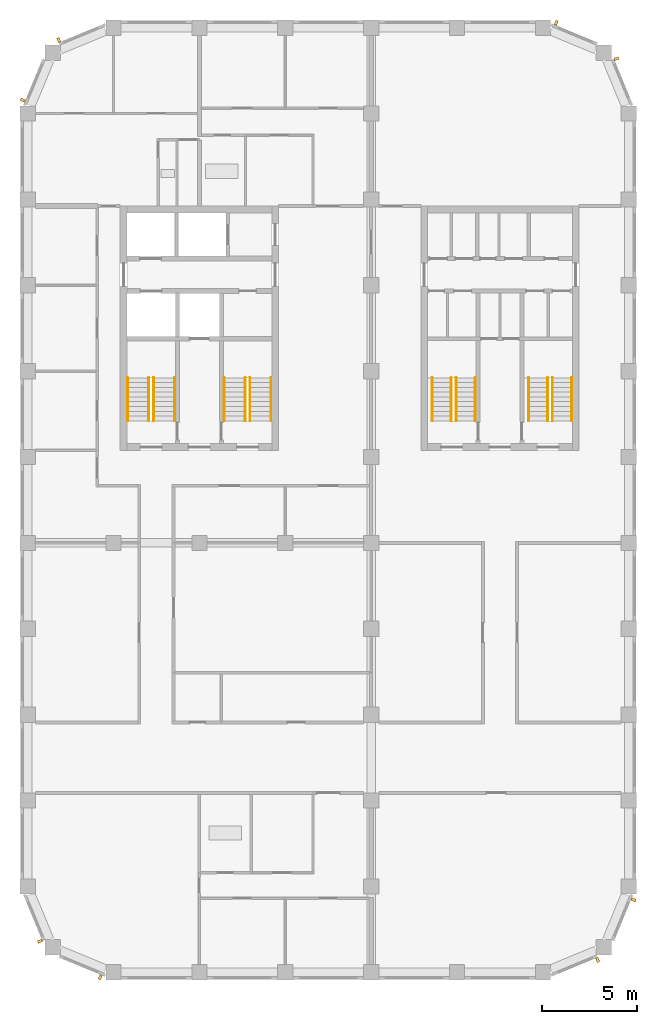
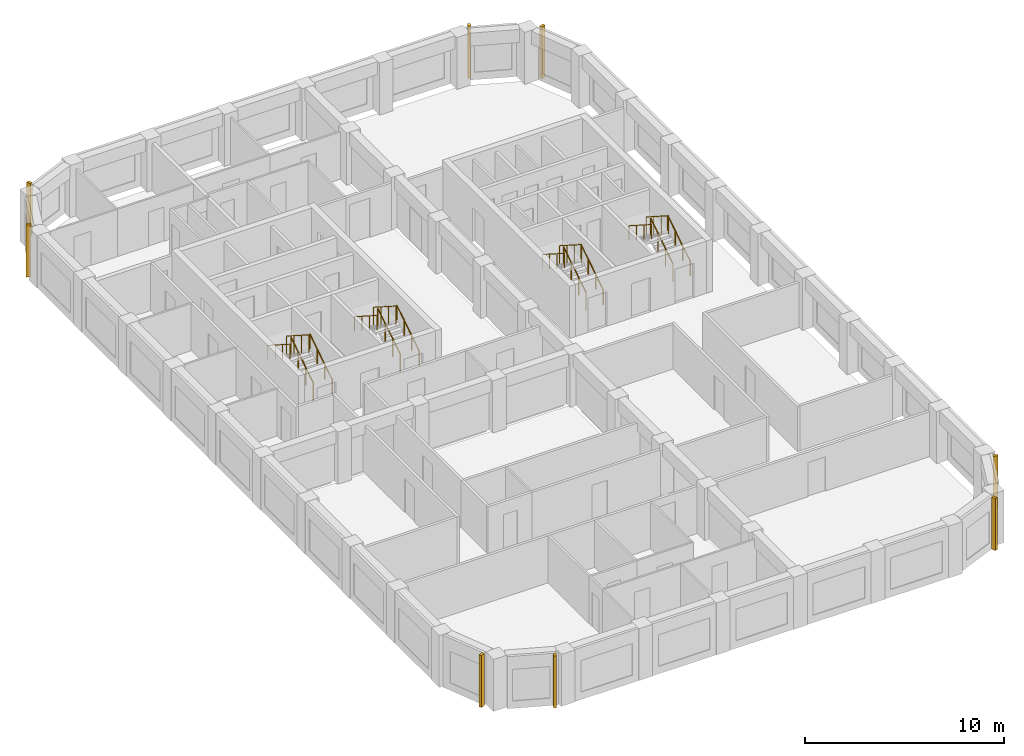
# One storey, part 8 of 9: 16 railings, 8 shading devices.
"""IFC4 building model written with IfcOpenShell, lengths in metres."""

from ifc_helpers import new_model, si_unit, direction, frame, origin, origin_2d, place, context, subcontext, project, spatial, rectangle, circle, extrude, material, type_object, element, save


model = new_model("IFC4")

# Units and contexts
model_context = context("Model", 3, precision=1e-05, world=origin(), true_north=direction((0.0, 1.0)))
body_context = subcontext(model_context, "Body", "Model", "MODEL_VIEW")
ifc_project = project(units=[si_unit("LENGTHUNIT", "METRE"), si_unit("AREAUNIT", "SQUARE_METRE"), si_unit("VOLUMEUNIT", "CUBIC_METRE"), si_unit("PLANEANGLEUNIT", "RADIAN"), si_unit("MASSUNIT", "GRAM", prefix="KILO")], contexts=[model_context])

# Site, building, storey
site_placement = place(None, origin())
site = spatial("IfcSite", under=ifc_project, at=site_placement, CompositionType="ELEMENT")
building_placement = place(site_placement, origin())
building = spatial("IfcBuilding", under=site, at=building_placement, Name="Girih Gate Residences", CompositionType="ELEMENT")
storey_placement = place(building_placement, frame((0.0, 0.0, 222.89501953125)))
storey = spatial("IfcBuildingStorey", under=building, at=storey_placement, Name="L62", CompositionType="ELEMENT", Elevation=222.89501953125)

# Shading devices
ifc_material_1 = material(Name="Precast concrete C50/60", Category="concrete")
shading_device_type = type_object("IfcShadingDeviceType", Name="Corner rib 150x250", PredefinedType="USERDEFINED", material=ifc_material_1)
for number, where, z_axis, x_axis, name in (
    (1, (29.867919921875, 0.646728515625, 0.0), (0.0, 0.0, 1.0), (0.923879532511, 0.382683432365, 0.0), "Corner rib SE0270_0000.0"),
    (2, (31.752685546875, 3.80322265625, 0.0), (0.0, 0.0, 1.0), (0.382683432365, 0.923879532511, 0.0), "Corner rib SE0302_0013.0"),
    (3, (30.853271484375, 47.867919921875, 0.0), (0.0, 0.0, 1.0), (-0.382683432365, 0.923879532511, 0.0), "Corner rib NE0315_0450.0"),
    (4, (27.69677734375, 49.752685546875, 0.0), (0.0, 0.0, 1.0), (-0.923879532511, 0.382683432365, 0.0), "Corner rib NE0302_0482.0"),
    (5, (1.632080078125, 48.853271484375, 0.0), (0.0, 0.0, 1.0), (-0.923879532511, -0.382683432365, 0.0), "Corner rib NW0045_0495.0"),
    (6, (-0.252685546875, 45.69677734375, 0.0), (0.0, 0.0, 1.0), (-0.382683432365, -0.923879532511, 0.0), "Corner rib NW0013_0482.0"),
    (7, (0.646728515625, 1.632080078125, 0.0), (0.0, 0.0, 1.0), (0.382683432365, -0.923879532511, 0.0), "Corner rib SW0000_0045.0"),
    (8, (3.80322265625, -0.252685546875, 0.0), (0.0, 0.0, 1.0), (0.923879532511, -0.382683432365, 0.0), "Corner rib SW0013_0013.0"),
):
    element("IfcShadingDevice", number, at=place(storey_placement, frame(where, z_axis=z_axis, x_axis=x_axis)), inside=storey, type_object=shading_device_type, Name=name, ObjectType="FIN", PredefinedType="USERDEFINED", context=body_context, shape_type="SweptSolid", body=[
        extrude(rectangle(XDim=0.14990234375, YDim=0.25, at=origin_2d()), origin(), (0.0, 0.0, 1.0), 3.199951171875),
    ])

# Railings
ifc_material_2 = material(Name="Stainless steel", Category="steel")
railing_type_1 = type_object("IfcRailingType", Name="Stair guard 1100", PredefinedType="GUARDRAIL", material=ifc_material_2)
railing_1_placement = place(storey_placement, frame((6.60009765625, 28.89990234375, 0.159912109375)))
element("IfcRailing", 9, at=railing_1_placement, inside=storey, type_object=railing_type_1, Name="L62 ST-W1 stair guard 1", PredefinedType="GUARDRAIL", context=body_context, shape_type="SweptSolid", body=[
    extrude(circle(Radius=0.02392578125, at=origin_2d()), frame((0.0, 0.0, 1.076171875), z_axis=(0.0, 0.842239864353, 0.539102968731), x_axis=(-1.0, 0.0, 0.0)), (0.0, 0.0, 1.0), 2.67138671875),
    extrude(circle(Radius=0.02099609375, at=origin_2d()), origin(), (0.0, 0.0, 1.0), 1.052001953125),
    extrude(circle(Radius=0.02099609375, at=origin_2d()), frame((0.0, 0.75, 0.47998046875)), (0.0, 0.0, 1.0), 1.052001953125),
    extrude(circle(Radius=0.02099609375, at=origin_2d()), frame((0.0, 1.5, 0.960205078125)), (0.0, 0.0, 1.0), 1.052001953125),
    extrude(circle(Radius=0.02099609375, at=origin_2d()), frame((0.0, 2.25, 1.440185546875)), (0.0, 0.0, 1.0), 1.052001953125),
])
railing_2_placement = place(storey_placement, frame((6.35009765625, 31.14990234375, 1.760009765625)))
element("IfcRailing", 10, at=railing_2_placement, inside=storey, type_object=railing_type_1, Name="L62 ST-W1 stair guard 2", PredefinedType="GUARDRAIL", context=body_context, shape_type="SweptSolid", body=[
    extrude(circle(Radius=0.02392578125, at=origin_2d()), frame((0.0, 0.0, 1.076171875), z_axis=(0.0, -0.842281359387, 0.539038135598), x_axis=(1.0, 0.0, 0.0)), (0.0, 0.0, 1.0), 2.67138671875),
    extrude(circle(Radius=0.02099609375, at=origin_2d()), origin(), (0.0, 0.0, 1.0), 1.052001953125),
    extrude(circle(Radius=0.02099609375, at=origin_2d()), frame((0.0, -0.75, 0.47998046875)), (0.0, 0.0, 1.0), 1.052001953125),
    extrude(circle(Radius=0.02099609375, at=origin_2d()), frame((0.0, -1.5, 0.9599609375)), (0.0, 0.0, 1.0), 1.052001953125),
    extrude(circle(Radius=0.02099609375, at=origin_2d()), frame((0.0, -2.25, 1.43994140625)), (0.0, 0.0, 1.0), 1.052001953125),
])
railing_3_placement = place(storey_placement, frame((11.64990234375, 28.89990234375, 0.159912109375)))
element("IfcRailing", 11, at=railing_3_placement, inside=storey, type_object=railing_type_1, Name="L62 ST-W2 stair guard 1", PredefinedType="GUARDRAIL", context=body_context, shape_type="SweptSolid", body=[
    extrude(circle(Radius=0.02392578125, at=origin_2d()), frame((0.0, 0.0, 1.076171875), z_axis=(0.0, 0.842239864353, 0.539102968731), x_axis=(-1.0, 0.0, 0.0)), (0.0, 0.0, 1.0), 2.67138671875),
    extrude(circle(Radius=0.02099609375, at=origin_2d()), origin(), (0.0, 0.0, 1.0), 1.052001953125),
    extrude(circle(Radius=0.02099609375, at=origin_2d()), frame((0.0, 0.75, 0.47998046875)), (0.0, 0.0, 1.0), 1.052001953125),
    extrude(circle(Radius=0.02099609375, at=origin_2d()), frame((0.0, 1.5, 0.960205078125)), (0.0, 0.0, 1.0), 1.052001953125),
    extrude(circle(Radius=0.02099609375, at=origin_2d()), frame((0.0, 2.25, 1.440185546875)), (0.0, 0.0, 1.0), 1.052001953125),
])
railing_4_placement = place(storey_placement, frame((11.39990234375, 31.14990234375, 1.760009765625)))
element("IfcRailing", 12, at=railing_4_placement, inside=storey, type_object=railing_type_1, Name="L62 ST-W2 stair guard 2", PredefinedType="GUARDRAIL", context=body_context, shape_type="SweptSolid", body=[
    extrude(circle(Radius=0.02392578125, at=origin_2d()), frame((0.0, 0.0, 1.076171875), z_axis=(0.0, -0.842281359387, 0.539038135598), x_axis=(1.0, 0.0, 0.0)), (0.0, 0.0, 1.0), 2.67138671875),
    extrude(circle(Radius=0.02099609375, at=origin_2d()), origin(), (0.0, 0.0, 1.0), 1.052001953125),
    extrude(circle(Radius=0.02099609375, at=origin_2d()), frame((0.0, -0.75, 0.47998046875)), (0.0, 0.0, 1.0), 1.052001953125),
    extrude(circle(Radius=0.02099609375, at=origin_2d()), frame((0.0, -1.5, 0.9599609375)), (0.0, 0.0, 1.0), 1.052001953125),
    extrude(circle(Radius=0.02099609375, at=origin_2d()), frame((0.0, -2.25, 1.43994140625)), (0.0, 0.0, 1.0), 1.052001953125),
])
railing_5_placement = place(storey_placement, frame((22.449951171875, 28.89990234375, 0.159912109375)))
element("IfcRailing", 13, at=railing_5_placement, inside=storey, type_object=railing_type_1, Name="L62 ST-C1 stair guard 1", PredefinedType="GUARDRAIL", context=body_context, shape_type="SweptSolid", body=[
    extrude(circle(Radius=0.02392578125, at=origin_2d()), frame((0.0, 0.0, 1.076171875), z_axis=(0.0, 0.842239864353, 0.539102968731), x_axis=(-1.0, 0.0, 0.0)), (0.0, 0.0, 1.0), 2.67138671875),
    extrude(circle(Radius=0.02099609375, at=origin_2d()), origin(), (0.0, 0.0, 1.0), 1.052001953125),
    extrude(circle(Radius=0.02099609375, at=origin_2d()), frame((0.0, 0.75, 0.47998046875)), (0.0, 0.0, 1.0), 1.052001953125),
    extrude(circle(Radius=0.02099609375, at=origin_2d()), frame((0.0, 1.5, 0.960205078125)), (0.0, 0.0, 1.0), 1.052001953125),
    extrude(circle(Radius=0.02099609375, at=origin_2d()), frame((0.0, 2.25, 1.440185546875)), (0.0, 0.0, 1.0), 1.052001953125),
])
railing_6_placement = place(storey_placement, frame((22.199951171875, 31.14990234375, 1.760009765625)))
element("IfcRailing", 14, at=railing_6_placement, inside=storey, type_object=railing_type_1, Name="L62 ST-C1 stair guard 2", PredefinedType="GUARDRAIL", context=body_context, shape_type="SweptSolid", body=[
    extrude(circle(Radius=0.02392578125, at=origin_2d()), frame((0.0, 0.0, 1.076171875), z_axis=(0.0, -0.842281359387, 0.539038135598), x_axis=(1.0, 0.0, 0.0)), (0.0, 0.0, 1.0), 2.67138671875),
    extrude(circle(Radius=0.02099609375, at=origin_2d()), origin(), (0.0, 0.0, 1.0), 1.052001953125),
    extrude(circle(Radius=0.02099609375, at=origin_2d()), frame((0.0, -0.75, 0.47998046875)), (0.0, 0.0, 1.0), 1.052001953125),
    extrude(circle(Radius=0.02099609375, at=origin_2d()), frame((0.0, -1.5, 0.9599609375)), (0.0, 0.0, 1.0), 1.052001953125),
    extrude(circle(Radius=0.02099609375, at=origin_2d()), frame((0.0, -2.25, 1.43994140625)), (0.0, 0.0, 1.0), 1.052001953125),
])
railing_7_placement = place(storey_placement, frame((27.5, 28.89990234375, 0.159912109375)))
element("IfcRailing", 15, at=railing_7_placement, inside=storey, type_object=railing_type_1, Name="L62 ST-C2 stair guard 1", PredefinedType="GUARDRAIL", context=body_context, shape_type="SweptSolid", body=[
    extrude(circle(Radius=0.02392578125, at=origin_2d()), frame((0.0, 0.0, 1.076171875), z_axis=(0.0, 0.842239864353, 0.539102968731), x_axis=(-1.0, 0.0, 0.0)), (0.0, 0.0, 1.0), 2.67138671875),
    extrude(circle(Radius=0.02099609375, at=origin_2d()), origin(), (0.0, 0.0, 1.0), 1.052001953125),
    extrude(circle(Radius=0.02099609375, at=origin_2d()), frame((0.0, 0.75, 0.47998046875)), (0.0, 0.0, 1.0), 1.052001953125),
    extrude(circle(Radius=0.02099609375, at=origin_2d()), frame((0.0, 1.5, 0.960205078125)), (0.0, 0.0, 1.0), 1.052001953125),
    extrude(circle(Radius=0.02099609375, at=origin_2d()), frame((0.0, 2.25, 1.440185546875)), (0.0, 0.0, 1.0), 1.052001953125),
])
railing_8_placement = place(storey_placement, frame((27.25, 31.14990234375, 1.760009765625)))
element("IfcRailing", 16, at=railing_8_placement, inside=storey, type_object=railing_type_1, Name="L62 ST-C2 stair guard 2", PredefinedType="GUARDRAIL", context=body_context, shape_type="SweptSolid", body=[
    extrude(circle(Radius=0.02392578125, at=origin_2d()), frame((0.0, 0.0, 1.076171875), z_axis=(0.0, -0.842281359387, 0.539038135598), x_axis=(1.0, 0.0, 0.0)), (0.0, 0.0, 1.0), 2.67138671875),
    extrude(circle(Radius=0.02099609375, at=origin_2d()), origin(), (0.0, 0.0, 1.0), 1.052001953125),
    extrude(circle(Radius=0.02099609375, at=origin_2d()), frame((0.0, -0.75, 0.47998046875)), (0.0, 0.0, 1.0), 1.052001953125),
    extrude(circle(Radius=0.02099609375, at=origin_2d()), frame((0.0, -1.5, 0.9599609375)), (0.0, 0.0, 1.0), 1.052001953125),
    extrude(circle(Radius=0.02099609375, at=origin_2d()), frame((0.0, -2.25, 1.43994140625)), (0.0, 0.0, 1.0), 1.052001953125),
])
railing_type_2 = type_object("IfcRailingType", Name="Stair handrail 900", PredefinedType="HANDRAIL", material=ifc_material_2)
railing_9_placement = place(storey_placement, frame((7.699951171875, 28.89990234375, 0.159912109375)))
element("IfcRailing", 17, at=railing_9_placement, inside=storey, type_object=railing_type_2, Name="L62 ST-W1 stair handrail 1", PredefinedType="HANDRAIL", context=body_context, shape_type="SweptSolid", body=[
    extrude(circle(Radius=0.02392578125, at=origin_2d()), frame((0.0, 0.0, 0.8857421875), z_axis=(0.0, 0.842239864353, 0.539102968731), x_axis=(-1.0, 0.0, 0.0)), (0.0, 0.0, 1.0), 2.67138671875),
    extrude(circle(Radius=0.02099609375, at=origin_2d()), origin(), (0.0, 0.0, 1.0), 0.86181640625),
    extrude(circle(Radius=0.02099609375, at=origin_2d()), frame((0.0, 0.75, 0.47998046875)), (0.0, 0.0, 1.0), 0.86181640625),
    extrude(circle(Radius=0.02099609375, at=origin_2d()), frame((0.0, 1.5, 0.960205078125)), (0.0, 0.0, 1.0), 0.86181640625),
    extrude(circle(Radius=0.02099609375, at=origin_2d()), frame((0.0, 2.25, 1.440185546875)), (0.0, 0.0, 1.0), 0.86181640625),
])
railing_10_placement = place(storey_placement, frame((5.25, 31.14990234375, 1.760009765625)))
element("IfcRailing", 18, at=railing_10_placement, inside=storey, type_object=railing_type_2, Name="L62 ST-W1 stair handrail 2", PredefinedType="HANDRAIL", context=body_context, shape_type="SweptSolid", body=[
    extrude(circle(Radius=0.02392578125, at=origin_2d()), frame((0.0, 0.0, 0.8857421875), z_axis=(0.0, -0.842281359387, 0.539038135598), x_axis=(1.0, 0.0, 0.0)), (0.0, 0.0, 1.0), 2.67138671875),
    extrude(circle(Radius=0.02099609375, at=origin_2d()), origin(), (0.0, 0.0, 1.0), 0.86181640625),
    extrude(circle(Radius=0.02099609375, at=origin_2d()), frame((0.0, -0.75, 0.47998046875)), (0.0, 0.0, 1.0), 0.86181640625),
    extrude(circle(Radius=0.02099609375, at=origin_2d()), frame((0.0, -1.5, 0.9599609375)), (0.0, 0.0, 1.0), 0.86181640625),
    extrude(circle(Radius=0.02099609375, at=origin_2d()), frame((0.0, -2.25, 1.43994140625)), (0.0, 0.0, 1.0), 0.86181640625),
])
railing_11_placement = place(storey_placement, frame((12.75, 28.89990234375, 0.159912109375)))
element("IfcRailing", 19, at=railing_11_placement, inside=storey, type_object=railing_type_2, Name="L62 ST-W2 stair handrail 1", PredefinedType="HANDRAIL", context=body_context, shape_type="SweptSolid", body=[
    extrude(circle(Radius=0.02392578125, at=origin_2d()), frame((0.0, 0.0, 0.8857421875), z_axis=(0.0, 0.842239864353, 0.539102968731), x_axis=(-1.0, 0.0, 0.0)), (0.0, 0.0, 1.0), 2.67138671875),
    extrude(circle(Radius=0.02099609375, at=origin_2d()), origin(), (0.0, 0.0, 1.0), 0.86181640625),
    extrude(circle(Radius=0.02099609375, at=origin_2d()), frame((0.0, 0.75, 0.47998046875)), (0.0, 0.0, 1.0), 0.86181640625),
    extrude(circle(Radius=0.02099609375, at=origin_2d()), frame((0.0, 1.5, 0.960205078125)), (0.0, 0.0, 1.0), 0.86181640625),
    extrude(circle(Radius=0.02099609375, at=origin_2d()), frame((0.0, 2.25, 1.440185546875)), (0.0, 0.0, 1.0), 0.86181640625),
])
railing_12_placement = place(storey_placement, frame((10.300048828125, 31.14990234375, 1.760009765625)))
element("IfcRailing", 20, at=railing_12_placement, inside=storey, type_object=railing_type_2, Name="L62 ST-W2 stair handrail 2", PredefinedType="HANDRAIL", context=body_context, shape_type="SweptSolid", body=[
    extrude(circle(Radius=0.02392578125, at=origin_2d()), frame((0.0, 0.0, 0.8857421875), z_axis=(0.0, -0.842281359387, 0.539038135598), x_axis=(1.0, 0.0, 0.0)), (0.0, 0.0, 1.0), 2.67138671875),
    extrude(circle(Radius=0.02099609375, at=origin_2d()), origin(), (0.0, 0.0, 1.0), 0.86181640625),
    extrude(circle(Radius=0.02099609375, at=origin_2d()), frame((0.0, -0.75, 0.47998046875)), (0.0, 0.0, 1.0), 0.86181640625),
    extrude(circle(Radius=0.02099609375, at=origin_2d()), frame((0.0, -1.5, 0.9599609375)), (0.0, 0.0, 1.0), 0.86181640625),
    extrude(circle(Radius=0.02099609375, at=origin_2d()), frame((0.0, -2.25, 1.43994140625)), (0.0, 0.0, 1.0), 0.86181640625),
])
railing_13_placement = place(storey_placement, frame((23.449951171875, 28.89990234375, 0.159912109375)))
element("IfcRailing", 21, at=railing_13_placement, inside=storey, type_object=railing_type_2, Name="L62 ST-C1 stair handrail 1", PredefinedType="HANDRAIL", context=body_context, shape_type="SweptSolid", body=[
    extrude(circle(Radius=0.02392578125, at=origin_2d()), frame((0.0, 0.0, 0.8857421875), z_axis=(0.0, 0.842239864353, 0.539102968731), x_axis=(-1.0, 0.0, 0.0)), (0.0, 0.0, 1.0), 2.67138671875),
    extrude(circle(Radius=0.02099609375, at=origin_2d()), origin(), (0.0, 0.0, 1.0), 0.86181640625),
    extrude(circle(Radius=0.02099609375, at=origin_2d()), frame((0.0, 0.75, 0.47998046875)), (0.0, 0.0, 1.0), 0.86181640625),
    extrude(circle(Radius=0.02099609375, at=origin_2d()), frame((0.0, 1.5, 0.960205078125)), (0.0, 0.0, 1.0), 0.86181640625),
    extrude(circle(Radius=0.02099609375, at=origin_2d()), frame((0.0, 2.25, 1.440185546875)), (0.0, 0.0, 1.0), 0.86181640625),
])
railing_14_placement = place(storey_placement, frame((21.199951171875, 31.14990234375, 1.760009765625)))
element("IfcRailing", 22, at=railing_14_placement, inside=storey, type_object=railing_type_2, Name="L62 ST-C1 stair handrail 2", PredefinedType="HANDRAIL", context=body_context, shape_type="SweptSolid", body=[
    extrude(circle(Radius=0.02392578125, at=origin_2d()), frame((0.0, 0.0, 0.8857421875), z_axis=(0.0, -0.842281359387, 0.539038135598), x_axis=(1.0, 0.0, 0.0)), (0.0, 0.0, 1.0), 2.67138671875),
    extrude(circle(Radius=0.02099609375, at=origin_2d()), origin(), (0.0, 0.0, 1.0), 0.86181640625),
    extrude(circle(Radius=0.02099609375, at=origin_2d()), frame((0.0, -0.75, 0.47998046875)), (0.0, 0.0, 1.0), 0.86181640625),
    extrude(circle(Radius=0.02099609375, at=origin_2d()), frame((0.0, -1.5, 0.9599609375)), (0.0, 0.0, 1.0), 0.86181640625),
    extrude(circle(Radius=0.02099609375, at=origin_2d()), frame((0.0, -2.25, 1.43994140625)), (0.0, 0.0, 1.0), 0.86181640625),
])
railing_15_placement = place(storey_placement, frame((28.5, 28.89990234375, 0.159912109375)))
element("IfcRailing", 23, at=railing_15_placement, inside=storey, type_object=railing_type_2, Name="L62 ST-C2 stair handrail 1", PredefinedType="HANDRAIL", context=body_context, shape_type="SweptSolid", body=[
    extrude(circle(Radius=0.02392578125, at=origin_2d()), frame((0.0, 0.0, 0.8857421875), z_axis=(0.0, 0.842239864353, 0.539102968731), x_axis=(-1.0, 0.0, 0.0)), (0.0, 0.0, 1.0), 2.67138671875),
    extrude(circle(Radius=0.02099609375, at=origin_2d()), origin(), (0.0, 0.0, 1.0), 0.86181640625),
    extrude(circle(Radius=0.02099609375, at=origin_2d()), frame((0.0, 0.75, 0.47998046875)), (0.0, 0.0, 1.0), 0.86181640625),
    extrude(circle(Radius=0.02099609375, at=origin_2d()), frame((0.0, 1.5, 0.960205078125)), (0.0, 0.0, 1.0), 0.86181640625),
    extrude(circle(Radius=0.02099609375, at=origin_2d()), frame((0.0, 2.25, 1.440185546875)), (0.0, 0.0, 1.0), 0.86181640625),
])
railing_16_placement = place(storey_placement, frame((26.25, 31.14990234375, 1.760009765625)))
element("IfcRailing", 24, at=railing_16_placement, inside=storey, type_object=railing_type_2, Name="L62 ST-C2 stair handrail 2", PredefinedType="HANDRAIL", context=body_context, shape_type="SweptSolid", body=[
    extrude(circle(Radius=0.02392578125, at=origin_2d()), frame((0.0, 0.0, 0.8857421875), z_axis=(0.0, -0.842281359387, 0.539038135598), x_axis=(1.0, 0.0, 0.0)), (0.0, 0.0, 1.0), 2.67138671875),
    extrude(circle(Radius=0.02099609375, at=origin_2d()), origin(), (0.0, 0.0, 1.0), 0.86181640625),
    extrude(circle(Radius=0.02099609375, at=origin_2d()), frame((0.0, -0.75, 0.47998046875)), (0.0, 0.0, 1.0), 0.86181640625),
    extrude(circle(Radius=0.02099609375, at=origin_2d()), frame((0.0, -1.5, 0.9599609375)), (0.0, 0.0, 1.0), 0.86181640625),
    extrude(circle(Radius=0.02099609375, at=origin_2d()), frame((0.0, -2.25, 1.43994140625)), (0.0, 0.0, 1.0), 0.86181640625),
])

save(model, "model.ifc")
